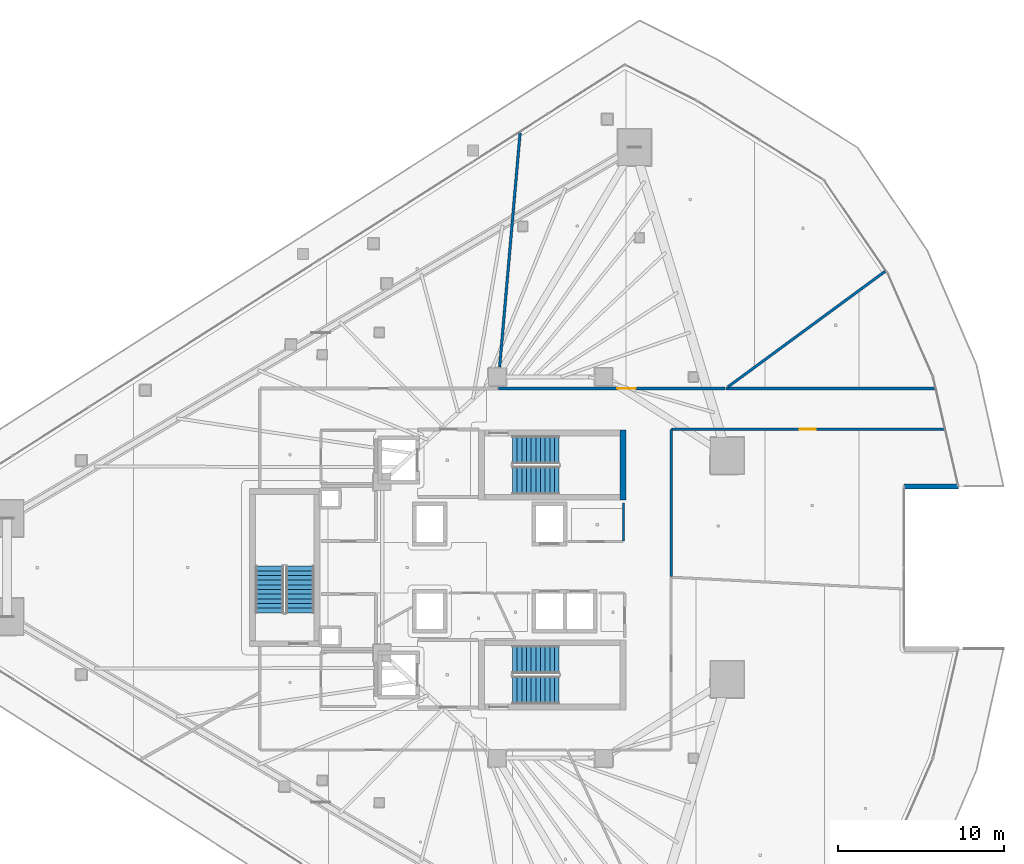
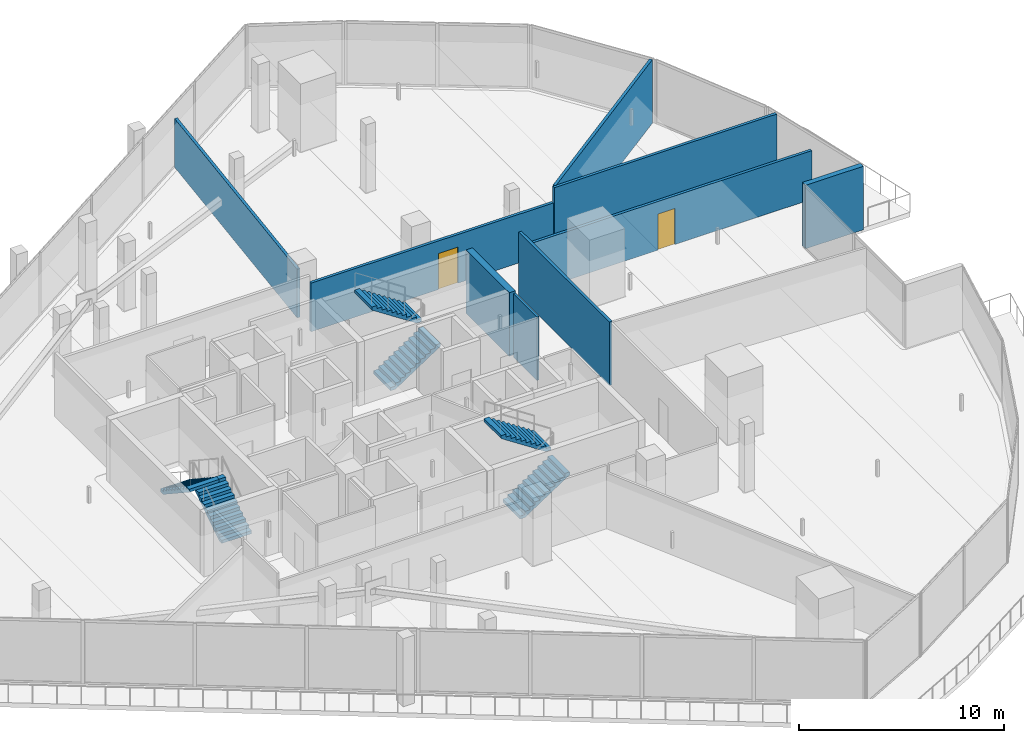
# One storey, part 31 of 40: 9 walls, 6 stair flights, 2 doors, 2 openings, 3 elements without a shape of their own.
"""IFC4 building model written with IfcOpenShell, lengths in metres."""

from ifc_helpers import new_model, si_unit, direction, frame, frame_2d, origin, place, context, subcontext, project, spatial, polyline, rectangle, outline, extrude, material, layer, layer_set, type_object, element, fill, aggregate, save


model = new_model("IFC4")

# Units and contexts
model_context = context("Model", 3, precision=1e-05, world=origin(), true_north=direction((0.0, 1.0)))
body_context = subcontext(model_context, "Body", "Model", "MODEL_VIEW")
ifc_project = project(units=[si_unit("LENGTHUNIT", "METRE"), si_unit("AREAUNIT", "SQUARE_METRE"), si_unit("VOLUMEUNIT", "CUBIC_METRE"), si_unit("PLANEANGLEUNIT", "RADIAN"), si_unit("MASSUNIT", "GRAM", prefix="KILO")], contexts=[model_context])

# Site, building, storey
site_placement = place(None, origin())
site = spatial("IfcSite", under=ifc_project, at=site_placement, CompositionType="ELEMENT")
building_placement = place(site_placement, origin())
building = spatial("IfcBuilding", under=site, at=building_placement, Name="Qorvath Tower", CompositionType="ELEMENT")
storey_placement = place(building_placement, frame((0.0, 0.0, 138.14990234375)))
storey = spatial("IfcBuildingStorey", under=building, at=storey_placement, Name="L31", CompositionType="ELEMENT", Elevation=138.14990234375)

# Walls
ifc_material_1 = material(Name="Double acoustic gypsum board on steel studs", Category="steel")
ifc_layer_1 = layer(ifc_material_1, 0.159912109375)
ifc_layer_set_1 = layer_set([ifc_layer_1], Name="IW-ACOUSTIC-160")
wall_type_1 = type_object("IfcWallType", Name="IW-ACOUSTIC-160", PredefinedType="PARTITIONING", material=ifc_layer_set_1)
wall_1_placement = place(storey_placement, frame((-23.446533203125, 12.039794921875, 0.0), z_axis=(0.0, 0.0, 1.0), x_axis=(0.087151517994, 0.996195067701, 0.0)))
element("IfcWall", 1, at=wall_1_placement, inside=storey, type_object=wall_type_1, Name="Interior Partition IW-T1-L31-024", PredefinedType="PARTITIONING", context=body_context, shape_type="SweptSolid", body=[
    extrude(rectangle(XDim=14.1298828125, YDim=0.159912109375, at=frame_2d((7.06494140625, 0.0))), origin(), (0.0, 0.0, 1.0), 2.89501953125),
])
wall_2_placement = place(storey_placement, frame((2.677978515625, 10.758056640625, 0.0), z_axis=(0.0, 0.0, 1.0), x_axis=(-1.0, 0.0, 0.0)))
element("IfcWall", 2, at=wall_2_placement, inside=storey, type_object=wall_type_1, Name="Interior Partition IW-T1-L31-041", PredefinedType="PARTITIONING", context=body_context, shape_type="SweptSolid", body=[
    extrude(rectangle(XDim=12.51416015625, YDim=0.159912109375, at=frame_2d((6.257080078125, 0.0))), origin(), (0.0, 0.0, 1.0), 3.780029296875),
])

# Wall, opening, door
wall_3_placement = place(storey_placement, frame((3.243896484375, 8.31201171875, 0.0), z_axis=(0.0, 0.0, 1.0), x_axis=(-1.0, 0.0, 0.0)))
wall_3 = element("IfcWall", 3, at=wall_3_placement, inside=storey, type_object=wall_type_1, Name="Interior Partition IW-T1-L31-042", PredefinedType="PARTITIONING", context=body_context, shape_type="SweptSolid", body=[
    extrude(rectangle(XDim=16.361083984375, YDim=0.159912109375, at=frame_2d((8.1806640625, 0.0))), origin(), (0.0, 0.0, 1.0), 2.89501953125),
])
opening_1_placement = place(wall_3_placement, frame((7.70556640625, 0.0, 0.0)))
opening_1 = element("IfcOpeningElement", 4, at=opening_1_placement, cuts=wall_3, Name="Opening D-T1-L31-11", PredefinedType="OPENING", context=body_context, shape_type="SweptSolid", body=[
    extrude(rectangle(XDim=0.949951171875, YDim=2.14990234375, at=frame_2d((0.47509765625, 1.074951171875))), frame((0.0, 0.08984375, 0.0), z_axis=(0.0, -1.0, 0.0), x_axis=(1.0, 0.0, 0.0)), (0.0, 0.0, 1.0), 0.179931640625),
])
ifc_material_2 = material(Name="Solid-core American white oak veneer", Category="wood")
door_type_1 = type_object("IfcDoorType", Name="D-01", OperationType="NOTDEFINED", PredefinedType="DOOR", material=ifc_material_2)
door_1_placement = place(opening_1_placement, origin())
door_1 = element("IfcDoor", 5, at=door_1_placement, inside=storey, type_object=door_type_1, Name="L31-06 Breakout Reading Alcove Door D-T1-L31-11", OperationType="SINGLE_SWING_RIGHT", OverallHeight=2.14990234375, OverallWidth=0.949951171875, PredefinedType="DOOR", context=body_context, shape_type="SweptSolid", body=[
    extrude(rectangle(XDim=0.949951171875, YDim=2.14990234375, at=frame_2d((0.47509765625, 1.074951171875))), frame((0.0, 0.02490234375, 0.0), z_axis=(0.0, -1.0, 0.0), x_axis=(1.0, 0.0, 0.0)), (0.0, 0.0, 1.0), 0.050048828125),
])
fill(opening_1, door_1)

# Walls
wall_4_placement = place(storey_placement, frame((-13.14208984375, 8.287109375, 0.0), z_axis=(0.0, 0.0, 1.0), x_axis=(0.0, -1.0, 0.0)))
element("IfcWall", 6, at=wall_4_placement, inside=storey, type_object=wall_type_1, Name="Interior Partition IW-T1-L31-043", PredefinedType="PARTITIONING", context=body_context, shape_type="SweptSolid", body=[
    extrude(rectangle(XDim=8.832763671875, YDim=0.159912109375, at=frame_2d((4.41650390625, 0.0))), origin(), (0.0, 0.0, 1.0), 3.780029296875),
])
wall_5_placement = place(storey_placement, frame((-0.299560546875, 17.78466796875, 0.0), z_axis=(0.0, 0.0, 1.0), x_axis=(-0.805812705696, -0.592170485029, 0.0)))
element("IfcWall", 7, at=wall_5_placement, inside=storey, type_object=wall_type_1, Name="Interior Partition IW-T1-L31-044", PredefinedType="PARTITIONING", context=body_context, shape_type="SweptSolid", body=[
    extrude(rectangle(XDim=11.697265625, YDim=0.159912109375, at=frame_2d((5.8486328125, 0.0))), origin(), (0.0, 0.0, 1.0), 3.780029296875),
])

# Wall, opening, door
wall_6_placement = place(storey_placement, frame((-23.52587890625, 10.758056640625, 0.0), z_axis=(0.0, 0.0, 1.0), x_axis=(1.0, 0.0, 0.0)))
wall_6 = element("IfcWall", 8, at=wall_6_placement, inside=storey, type_object=wall_type_1, Name="Interior Partition IW-T1-L31-045", PredefinedType="PARTITIONING", context=body_context, shape_type="SweptSolid", body=[
    extrude(rectangle(XDim=13.62646484375, YDim=0.159912109375, at=frame_2d((6.813232421875, 0.0))), origin(), (0.0, 0.0, 1.0), 2.89501953125),
])
opening_2_placement = place(wall_6_placement, frame((7.157958984375, 0.0, 0.0)))
opening_2 = element("IfcOpeningElement", 9, at=opening_2_placement, cuts=wall_6, Name="Opening D-T1-L31-12", PredefinedType="OPENING", context=body_context, shape_type="SweptSolid", body=[
    extrude(rectangle(XDim=1.10009765625, YDim=2.14990234375, at=frame_2d((0.550048828125, 1.074951171875))), frame((0.0, 0.08984375, 0.0), z_axis=(0.0, -1.0, 0.0), x_axis=(1.0, 0.0, 0.0)), (0.0, 0.0, 1.0), 0.179931640625),
])
ifc_material_3 = material(Name="Anodised aluminium acoustic framed glass", Category="aluminium")
door_type_2 = type_object("IfcDoorType", Name="D-03", OperationType="NOTDEFINED", PredefinedType="DOOR", material=ifc_material_3)
door_2_placement = place(opening_2_placement, origin())
door_2 = element("IfcDoor", 10, at=door_2_placement, inside=storey, type_object=door_type_2, Name="L31-07 Digital Visualization Suite Door D-T1-L31-12", OperationType="SINGLE_SWING_LEFT", OverallHeight=2.14990234375, OverallWidth=1.10009765625, PredefinedType="DOOR", context=body_context, shape_type="SweptSolid", body=[
    extrude(rectangle(XDim=1.10009765625, YDim=2.14990234375, at=frame_2d((0.550048828125, 1.074951171875))), frame((0.0, 0.02490234375, 0.0), z_axis=(0.0, -1.0, 0.0), x_axis=(1.0, 0.0, 0.0)), (0.0, 0.0, 1.0), 0.050048828125),
])
fill(opening_2, door_2)

# Walls
ifc_material_4 = material(Name="Gypsum board on metal studs with mineral wool", Category="gypsum")
ifc_layer_2 = layer(ifc_material_4, 0.125)
ifc_layer_set_2 = layer_set([ifc_layer_2], Name="IW-PART-125")
wall_type_2 = type_object("IfcWallType", Name="IW-PART-125", PredefinedType="PARTITIONING", material=ifc_layer_set_2)
wall_7_placement = place(storey_placement, frame((-16.0, 1.585205078125, 0.0), z_axis=(0.0, 0.0, 1.0), x_axis=(0.0, 1.0, 0.0)))
element("IfcWall", 11, at=wall_7_placement, inside=storey, type_object=wall_type_2, Name="Interior Partition IW-T1-L31-014", PredefinedType="PARTITIONING", context=body_context, shape_type="SweptSolid", body=[
    extrude(rectangle(XDim=2.30224609375, YDim=0.125, at=frame_2d((1.151123046875, 0.0))), origin(), (0.0, 0.0, 1.0), 3.780029296875),
])
ifc_material_5 = material(Name="Concrete C60/75", Category="concrete")
ifc_layer_3 = layer(ifc_material_5, 0.35009765625)
ifc_layer_set_3 = layer_set([ifc_layer_3], Name="SW-STAIR")
wall_type_3 = type_object("IfcWallType", Name="SW-STAIR", PredefinedType="SHEAR", material=ifc_layer_set_3)
wall_8_placement = place(storey_placement, frame((-16.02490234375, 4.050048828125, 0.0), z_axis=(0.0, 0.0, 1.0), x_axis=(0.0, 1.0, 0.0)))
element("IfcWall", 12, at=wall_8_placement, inside=storey, type_object=wall_type_3, Name="Stair TS1 Shear Wall L31 FAR", PredefinedType="SHEAR", context=body_context, shape_type="SweptSolid", body=[
    extrude(rectangle(XDim=4.2099609375, YDim=0.35009765625, at=frame_2d((2.10498046875, 0.0))), origin(), (0.0, 0.0, 1.0), 3.780029296875),
])
ifc_material_6 = material(Name="Precast concrete C45/55", Category="concrete")
ifc_layer_4 = layer(ifc_material_6, 0.300048828125)
ifc_layer_set_4 = layer_set([ifc_layer_4], Name="WL-EW-LOG-300")
wall_type_4 = type_object("IfcWallType", Name="WL-EW-LOG-300", PredefinedType="SOLIDWALL", material=ifc_layer_set_4)
wall_9_placement = place(storey_placement, frame((0.86328125, 4.881591796875, 0.0), z_axis=(0.0, 0.0, 1.0), x_axis=(1.0, 0.0, 0.0)))
element("IfcWall", 13, at=wall_9_placement, inside=storey, type_object=wall_type_4, Name="Tower Precast Loggia Wall L31-10.1", PredefinedType="SOLIDWALL", context=body_context, shape_type="SweptSolid", body=[
    extrude(rectangle(XDim=3.25439453125, YDim=0.300048828125, at=frame_2d((1.627197265625, 0.0))), origin(), (0.0, 0.0, 1.0), 3.780029296875),
])

# Stair, stair flights
ifc_material_7 = material(Name="Concrete C50/60", Category="concrete")
stair_type = type_object("IfcStairType", Name="ST-H405", PredefinedType="HALF_TURN_STAIR", material=ifc_material_7)
stair_1_placement = place(storey_placement, origin())
stair_1 = element("IfcStair", 14, at=stair_1_placement, inside=storey, type_object=stair_type, Name="L31 Tower Exit Stair 1", PredefinedType="HALF_TURN_STAIR")
ifc_material_8 = material(Name="Concrete C50/60", Category="concrete")
ifc_layer_5 = layer(ifc_material_8, 0.14990234375)
ifc_layer_set_5 = layer_set([ifc_layer_5], Name="SF-H405")
stair_flight_type = type_object("IfcStairFlightType", Name="SF-H405", PredefinedType="STRAIGHT", material=ifc_layer_set_5)
stair_flight_1_placement = place(storey_placement, frame((-22.669921875, 5.239990234375, 0.0), z_axis=(0.0, 0.0, 1.0), x_axis=(1.0, 0.0, 0.0)))
stair_flight_1 = element("IfcStairFlight", 15, at=stair_flight_1_placement, type_object=stair_flight_type, Name="TS1 flight 1", NumberOfRisers=11, NumberOfTreads=10, PredefinedType="STRAIGHT", RiserHeight=0.184090909, TreadLength=0.28, context=body_context, shape_type="SweptSolid", body=[
    extrude(outline(polyline([(0.0, 0.0), (0.0, 0.18408203125), (0.280029296875, 0.18408203125), (0.280029296875, 0.3681640625), (0.56005859375, 0.3681640625), (0.56005859375, 0.55224609375), (0.840087890625, 0.55224609375), (0.840087890625, 0.736328125), (1.1201171875, 0.736328125), (1.1201171875, 0.92041015625), (1.39990234375, 0.92041015625), (1.39990234375, 1.1044921875), (1.679931640625, 1.1044921875), (1.679931640625, 1.28857421875), (1.9599609375, 1.28857421875), (1.9599609375, 1.47265625), (2.239990234375, 1.47265625), (2.239990234375, 1.65673828125), (2.52001953125, 1.65673828125), (2.52001953125, 1.8408203125), (2.800048828125, 1.8408203125), (2.800048828125, 2.02490234375), (2.800048828125, 1.66162109375), (0.27294921875, 0.0), (0.0, 0.0)])), frame((0.0, 0.83984375, 0.0), z_axis=(0.0, -1.0, 0.0), x_axis=(1.0, 0.0, 0.0)), (0.0, 0.0, 1.0), 1.679931640625),
])
stair_flight_2_placement = place(storey_placement, frame((-19.8701171875, 7.070068359375, 2.025146484375), z_axis=(0.0, 0.0, 1.0), x_axis=(-1.0, 0.0, 0.0)))
stair_flight_2 = element("IfcStairFlight", 16, at=stair_flight_2_placement, type_object=stair_flight_type, Name="TS1 flight 2", NumberOfRisers=11, NumberOfTreads=10, PredefinedType="STRAIGHT", RiserHeight=0.184090909, TreadLength=0.28, context=body_context, shape_type="SweptSolid", body=[
    extrude(outline(polyline([(0.0, 0.0), (0.0, 0.18408203125), (0.280029296875, 0.18408203125), (0.280029296875, 0.3681640625), (0.56005859375, 0.3681640625), (0.56005859375, 0.55224609375), (0.840087890625, 0.55224609375), (0.840087890625, 0.736328125), (1.1201171875, 0.736328125), (1.1201171875, 0.92041015625), (1.39990234375, 0.92041015625), (1.39990234375, 1.1044921875), (1.679931640625, 1.1044921875), (1.679931640625, 1.28857421875), (1.9599609375, 1.28857421875), (1.9599609375, 1.47265625), (2.239990234375, 1.47265625), (2.239990234375, 1.65673828125), (2.52001953125, 1.65673828125), (2.52001953125, 1.8408203125), (2.800048828125, 1.8408203125), (2.800048828125, 2.02490234375), (2.800048828125, 1.66162109375), (0.27294921875, 0.0), (0.0, 0.0)])), frame((0.0, 0.83984375, 0.0), z_axis=(0.0, -1.0, 0.0), x_axis=(1.0, 0.0, 0.0)), (0.0, 0.0, 1.0), 1.679931640625),
])
aggregate(stair_1, [stair_flight_1, stair_flight_2])

stair_2_placement = place(storey_placement, origin())
stair_2 = element("IfcStair", 17, at=stair_2_placement, inside=storey, type_object=stair_type, Name="L31 Tower Exit Stair 2", PredefinedType="HALF_TURN_STAIR")
stair_flight_3_placement = place(storey_placement, frame((-22.669921875, -7.360107421875, 0.0), z_axis=(0.0, 0.0, 1.0), x_axis=(1.0, 0.0, 0.0)))
stair_flight_3 = element("IfcStairFlight", 18, at=stair_flight_3_placement, type_object=stair_flight_type, Name="TS2 flight 1", NumberOfRisers=11, NumberOfTreads=10, PredefinedType="STRAIGHT", RiserHeight=0.184090909, TreadLength=0.28, context=body_context, shape_type="SweptSolid", body=[
    extrude(outline(polyline([(0.0, 0.0), (0.0, 0.18408203125), (0.280029296875, 0.18408203125), (0.280029296875, 0.3681640625), (0.56005859375, 0.3681640625), (0.56005859375, 0.55224609375), (0.840087890625, 0.55224609375), (0.840087890625, 0.736328125), (1.1201171875, 0.736328125), (1.1201171875, 0.92041015625), (1.39990234375, 0.92041015625), (1.39990234375, 1.1044921875), (1.679931640625, 1.1044921875), (1.679931640625, 1.28857421875), (1.9599609375, 1.28857421875), (1.9599609375, 1.47265625), (2.239990234375, 1.47265625), (2.239990234375, 1.65673828125), (2.52001953125, 1.65673828125), (2.52001953125, 1.8408203125), (2.800048828125, 1.8408203125), (2.800048828125, 2.02490234375), (2.800048828125, 1.66162109375), (0.27294921875, 0.0), (0.0, 0.0)])), frame((0.0, 0.83984375, 0.0), z_axis=(0.0, -1.0, 0.0), x_axis=(1.0, 0.0, 0.0)), (0.0, 0.0, 1.0), 1.679931640625),
])
stair_flight_4_placement = place(storey_placement, frame((-19.8701171875, -5.530029296875, 2.025146484375), z_axis=(0.0, 0.0, 1.0), x_axis=(-1.0, 0.0, 0.0)))
stair_flight_4 = element("IfcStairFlight", 19, at=stair_flight_4_placement, type_object=stair_flight_type, Name="TS2 flight 2", NumberOfRisers=11, NumberOfTreads=10, PredefinedType="STRAIGHT", RiserHeight=0.184090909, TreadLength=0.28, context=body_context, shape_type="SweptSolid", body=[
    extrude(outline(polyline([(0.0, 0.0), (0.0, 0.18408203125), (0.280029296875, 0.18408203125), (0.280029296875, 0.3681640625), (0.56005859375, 0.3681640625), (0.56005859375, 0.55224609375), (0.840087890625, 0.55224609375), (0.840087890625, 0.736328125), (1.1201171875, 0.736328125), (1.1201171875, 0.92041015625), (1.39990234375, 0.92041015625), (1.39990234375, 1.1044921875), (1.679931640625, 1.1044921875), (1.679931640625, 1.28857421875), (1.9599609375, 1.28857421875), (1.9599609375, 1.47265625), (2.239990234375, 1.47265625), (2.239990234375, 1.65673828125), (2.52001953125, 1.65673828125), (2.52001953125, 1.8408203125), (2.800048828125, 1.8408203125), (2.800048828125, 2.02490234375), (2.800048828125, 1.66162109375), (0.27294921875, 0.0), (0.0, 0.0)])), frame((0.0, 0.83984375, 0.0), z_axis=(0.0, -1.0, 0.0), x_axis=(1.0, 0.0, 0.0)), (0.0, 0.0, 1.0), 1.679931640625),
])
aggregate(stair_2, [stair_flight_3, stair_flight_4])

stair_3_placement = place(storey_placement, origin())
stair_3 = element("IfcStair", 20, at=stair_3_placement, inside=storey, type_object=stair_type, Name="L31 Tower Exit Stair 3", PredefinedType="HALF_TURN_STAIR")
stair_flight_5_placement = place(storey_placement, frame((-35.43994140625, -2.719970703125, 0.0), z_axis=(0.0, 0.0, 1.0), x_axis=(0.0, 1.0, 0.0)))
stair_flight_5 = element("IfcStairFlight", 21, at=stair_flight_5_placement, type_object=stair_flight_type, Name="TS3 flight 1", NumberOfRisers=11, NumberOfTreads=10, PredefinedType="STRAIGHT", RiserHeight=0.184090909, TreadLength=0.28, context=body_context, shape_type="SweptSolid", body=[
    extrude(outline(polyline([(0.0, 0.0), (0.0, 0.18408203125), (0.280029296875, 0.18408203125), (0.280029296875, 0.3681640625), (0.56005859375, 0.3681640625), (0.56005859375, 0.55224609375), (0.840087890625, 0.55224609375), (0.840087890625, 0.736328125), (1.1201171875, 0.736328125), (1.1201171875, 0.92041015625), (1.39990234375, 0.92041015625), (1.39990234375, 1.1044921875), (1.679931640625, 1.1044921875), (1.679931640625, 1.28857421875), (1.9599609375, 1.28857421875), (1.9599609375, 1.47265625), (2.239990234375, 1.47265625), (2.239990234375, 1.65673828125), (2.52001953125, 1.65673828125), (2.52001953125, 1.8408203125), (2.800048828125, 1.8408203125), (2.800048828125, 2.02490234375), (2.800048828125, 1.66162109375), (0.27294921875, 0.0), (0.0, 0.0)])), frame((0.0, 0.83984375, 0.0), z_axis=(0.0, -1.0, 0.0), x_axis=(1.0, 0.0, 0.0)), (0.0, 0.0, 1.0), 1.679931640625),
])
stair_flight_6_placement = place(storey_placement, frame((-37.27001953125, 0.080078125, 2.025146484375), z_axis=(0.0, 0.0, 1.0), x_axis=(0.0, -1.0, 0.0)))
stair_flight_6 = element("IfcStairFlight", 22, at=stair_flight_6_placement, type_object=stair_flight_type, Name="TS3 flight 2", NumberOfRisers=11, NumberOfTreads=10, PredefinedType="STRAIGHT", RiserHeight=0.184090909, TreadLength=0.28, context=body_context, shape_type="SweptSolid", body=[
    extrude(outline(polyline([(0.0, 0.0), (0.0, 0.18408203125), (0.280029296875, 0.18408203125), (0.280029296875, 0.3681640625), (0.56005859375, 0.3681640625), (0.56005859375, 0.55224609375), (0.840087890625, 0.55224609375), (0.840087890625, 0.736328125), (1.1201171875, 0.736328125), (1.1201171875, 0.92041015625), (1.39990234375, 0.92041015625), (1.39990234375, 1.1044921875), (1.679931640625, 1.1044921875), (1.679931640625, 1.28857421875), (1.9599609375, 1.28857421875), (1.9599609375, 1.47265625), (2.239990234375, 1.47265625), (2.239990234375, 1.65673828125), (2.52001953125, 1.65673828125), (2.52001953125, 1.8408203125), (2.800048828125, 1.8408203125), (2.800048828125, 2.02490234375), (2.800048828125, 1.66162109375), (0.27294921875, 0.0), (0.0, 0.0)])), frame((0.0, 0.83984375, 0.0), z_axis=(0.0, -1.0, 0.0), x_axis=(1.0, 0.0, 0.0)), (0.0, 0.0, 1.0), 1.679931640625),
])
aggregate(stair_3, [stair_flight_5, stair_flight_6])

save(model, "model.ifc")
